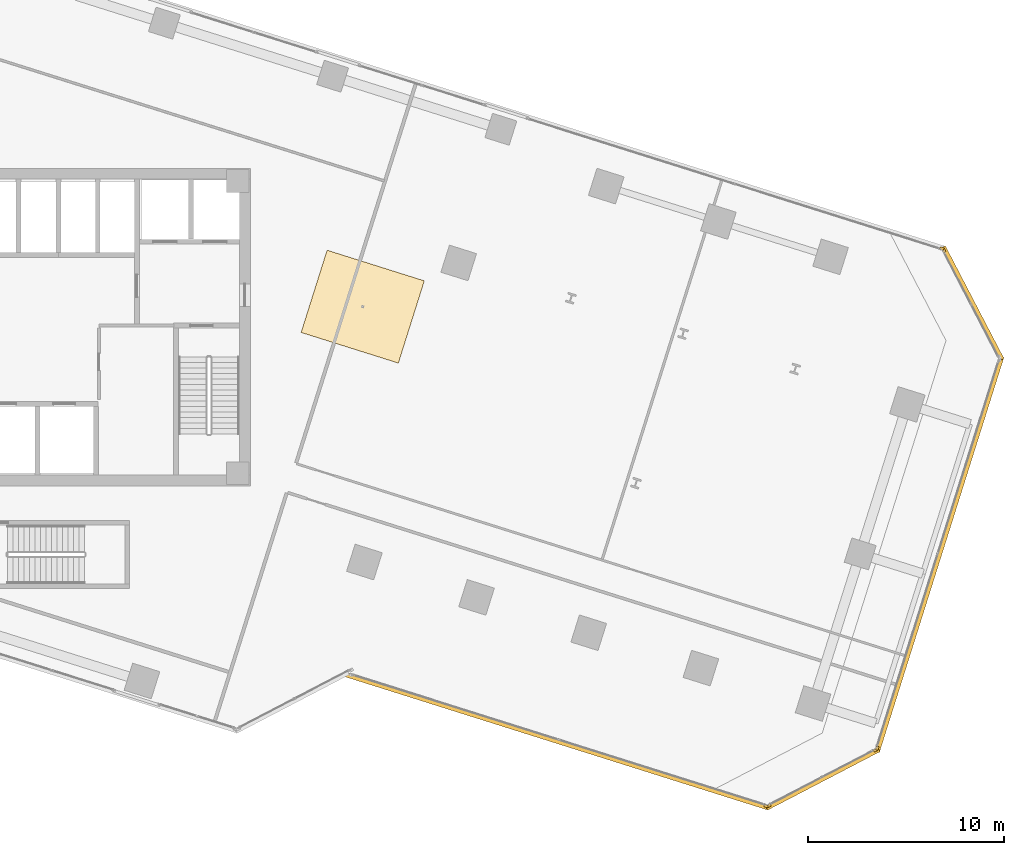
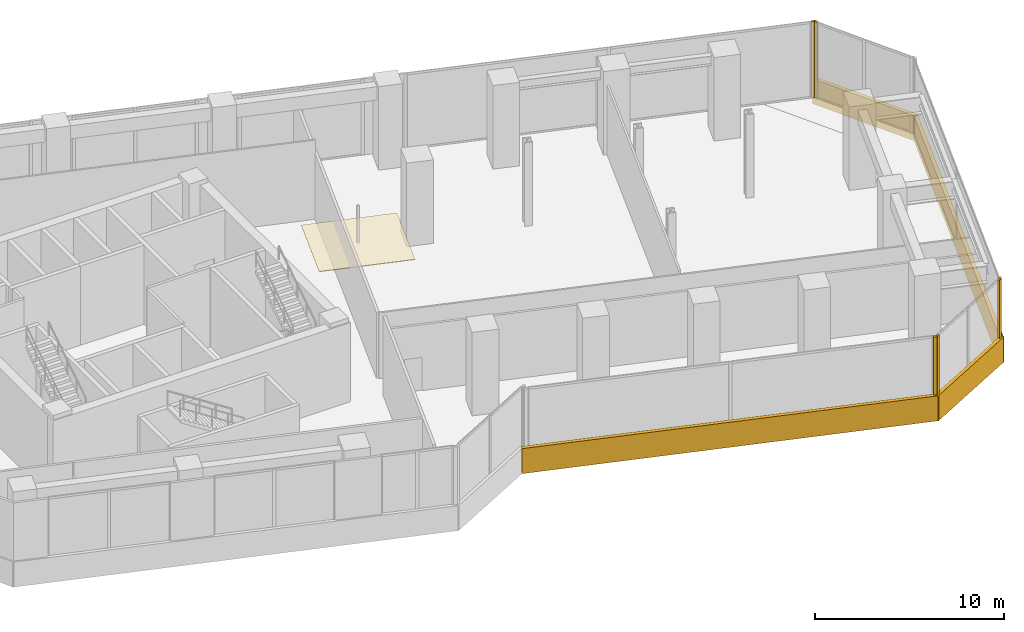
# One storey, part 26 of 28: 11 coverings.
"""IFC4 building model written with IfcOpenShell, lengths in metres."""

from ifc_helpers import new_model, si_unit, direction, frame, origin, origin_2d, place, context, subcontext, project, spatial, polyline, rectangle, outline, extrude, source, transform, mapped, material, layer, layer_set, type_object, element, save


model = new_model("IFC4")

# Units and contexts
model_context = context("Model", 3, precision=1e-05, world=origin(), true_north=direction((0.0, 1.0)))
body_context = subcontext(model_context, "Body", "Model", "MODEL_VIEW")
ifc_project = project(units=[si_unit("LENGTHUNIT", "METRE"), si_unit("AREAUNIT", "SQUARE_METRE"), si_unit("VOLUMEUNIT", "CUBIC_METRE"), si_unit("PLANEANGLEUNIT", "RADIAN"), si_unit("MASSUNIT", "GRAM", prefix="KILO")], contexts=[model_context])

# Site, building, storey
site_placement = place(None, origin())
site = spatial("IfcSite", under=ifc_project, at=site_placement, CompositionType="ELEMENT")
building_placement = place(site_placement, origin())
building = spatial("IfcBuilding", under=site, at=building_placement, Name="Torre Montelarca", CompositionType="ELEMENT")
storey_placement = place(building_placement, frame((0.0, 0.0, 116.800048828125)))
storey = spatial("IfcBuildingStorey", under=building, at=storey_placement, Name="L26", CompositionType="ELEMENT", Elevation=116.800048828125)

# Coverings
ifc_material_1 = material(Name="Perforated acoustic mineral fibre board", Category="gypsum")
ifc_layer_1 = layer(ifc_material_1, 0.0400390625, Name="Perforated acoustic mineral fibre board", Category="gypsum")
ifc_layer_set_1 = layer_set([ifc_layer_1], Name="Perforated acoustic mineral fibre board")
covering_type_1 = type_object("IfcCoveringType", Name="COV-CEIL-AC1", PredefinedType="CEILING", material=ifc_layer_set_1)
covering_1_placement = place(storey_placement, frame((0.0, 0.0, 2.719970703125)))
element("IfcCovering", 1, at=covering_1_placement, inside=storey, type_object=covering_type_1, Name="L26 Acoustic Suspended Ceiling 01", PredefinedType="CEILING", context=body_context, shape_type="SweptSolid", body=[
    extrude(outline(polyline([(29.69580078125, 31.72265625), (34.6552734375, 30.158935546875), (35.978515625, 34.355224609375), (31.01904296875, 35.9189453125), (29.69580078125, 31.72265625)])), origin(), (0.0, 0.0, 1.0), 0.0400390625),
])
ifc_material_2 = material(Name="Bush-hammered warm white precast concrete C45/55", Category="concrete")
ifc_layer_2 = layer(ifc_material_2, 0.139892578125, Name="Bush-hammered warm white precast concrete C45/55", Category="concrete")
ifc_layer_set_2 = layer_set([ifc_layer_2], Name="Bush-hammered warm white precast concrete C45/55")
covering_type_2 = type_object("IfcCoveringType", Name="COV-TRAY-CLAD", PredefinedType="CLADDING", material=ifc_layer_set_2)
shared_shape_1 = source(origin(), body_context, "Body", "SweptSolid", [
    extrude(rectangle(XDim=6.48388671875, YDim=0.219970703125, at=origin_2d()), origin(), (0.0, 0.0, 1.0), 1.6201171875),
])
for number, where, z_axis, x_axis, name in (
    (2, (56.3046875, 8.93798828125, -0.4501953125), (0.0, 0.0, 1.0), (0.88701405677, 0.46174242072, 0.0), "L26 Architectural White Spandrel Tray Band TRYBOT-05"),
    (3, (63.9599609375, 33.21728515625, -0.4501953125), (0.0, 0.0, 1.0), (-0.461754805728, 0.887007609543, 0.0), "L26 Architectural White Spandrel Tray Band TRYBOT-07"),
):
    element("IfcCovering", number, at=place(storey_placement, frame(where, z_axis=z_axis, x_axis=x_axis)), inside=storey, type_object=covering_type_2, Name=name, PredefinedType="CLADDING", context=body_context, shape_type="MappedRepresentation", body=[
        mapped(shared_shape_1, transform((0.0, 0.0, 0.0), scale=1.0)),
    ])
shared_shape_2 = source(origin(), body_context, "Body", "SweptSolid", [
    extrude(rectangle(XDim=21.1201171875, YDim=0.219970703125, at=origin_2d()), origin(), (0.0, 0.0, 1.0), 1.6201171875),
])
covering_2_placement = place(storey_placement, frame((62.269775390625, 20.403564453125, -0.4501953125), z_axis=(0.0, 0.0, 1.0), x_axis=(0.300709128603, 0.953715901081, 0.0)))
element("IfcCovering", 4, at=covering_2_placement, inside=storey, type_object=covering_type_2, Name="L26 Architectural White Spandrel Tray Band TRYBOT-06", PredefinedType="CLADDING", context=body_context, shape_type="MappedRepresentation", body=[
    mapped(shared_shape_2, transform((0.0, 0.0, 0.0), scale=1.0)),
])
shared_shape_3 = source(origin(), body_context, "Body", "SweptSolid", [
    extrude(rectangle(XDim=22.619873046875, YDim=0.219970703125, at=origin_2d()), origin(), (0.0, 0.0, 1.0), 1.6201171875),
])
covering_3_placement = place(storey_placement, frame((42.77587890625, 10.853515625, -0.4501953125), z_axis=(0.0, 0.0, 1.0), x_axis=(0.953718000404, -0.300702470402, 0.0)))
element("IfcCovering", 5, at=covering_3_placement, inside=storey, type_object=covering_type_2, Name="L26 Architectural White Spandrel Tray Band TRYBOT-04", PredefinedType="CLADDING", context=body_context, shape_type="MappedRepresentation", body=[
    mapped(shared_shape_3, transform((0.0, 0.0, 0.0), scale=1.0)),
])
shared_shape_4 = source(origin(), body_context, "Body", "SweptSolid", [
    extrude(rectangle(XDim=0.199951171875, YDim=0.139892578125, at=origin_2d()), origin(), (0.0, 0.0, 1.0), 4.919921875),
])
for number, where, z_axis, x_axis, name in (
    (6, (53.41259765625, 7.562744140625, 0.0), (0.0, 0.0, 1.0), (0.953718000404, -0.300702470402, 0.0), "L26 Architectural Column Pier Cladding E04-2"),
    (7, (53.55712890625, 7.5751953125, 0.0), (0.0, 0.0, 1.0), (0.887017280319, 0.461736228182, 0.0), "L26 Architectural Column Pier Cladding E05-1"),
    (8, (58.99658203125, 10.40673828125, 0.0), (0.0, 0.0, 1.0), (0.887017280319, 0.461736228182, 0.0), "L26 Architectural Column Pier Cladding E05-2"),
    (9, (59.090087890625, 10.51806640625, 0.0), (0.0, 0.0, 1.0), (0.300707464054, 0.953716425916, 0.0), "L26 Architectural Column Pier Cladding E06-1"),
    (10, (62.490966796875, 35.9091796875, 0.0), (0.0, 0.0, 1.0), (-0.461748613235, 0.887010833178, 0.0), "L26 Architectural Column Pier Cladding E07-2"),
    (11, (62.3798828125, 36.00244140625, 0.0), (0.0, 0.0, 1.0), (-0.953717475577, 0.300704134954, 0.0), "L26 Architectural Column Pier Cladding E08-1"),
):
    element("IfcCovering", number, at=place(storey_placement, frame(where, z_axis=z_axis, x_axis=x_axis)), inside=storey, type_object=covering_type_2, Name=name, PredefinedType="CLADDING", context=body_context, shape_type="MappedRepresentation", body=[
        mapped(shared_shape_4, transform((0.0, 0.0, 0.0), scale=1.0)),
    ])

save(model, "model.ifc")
